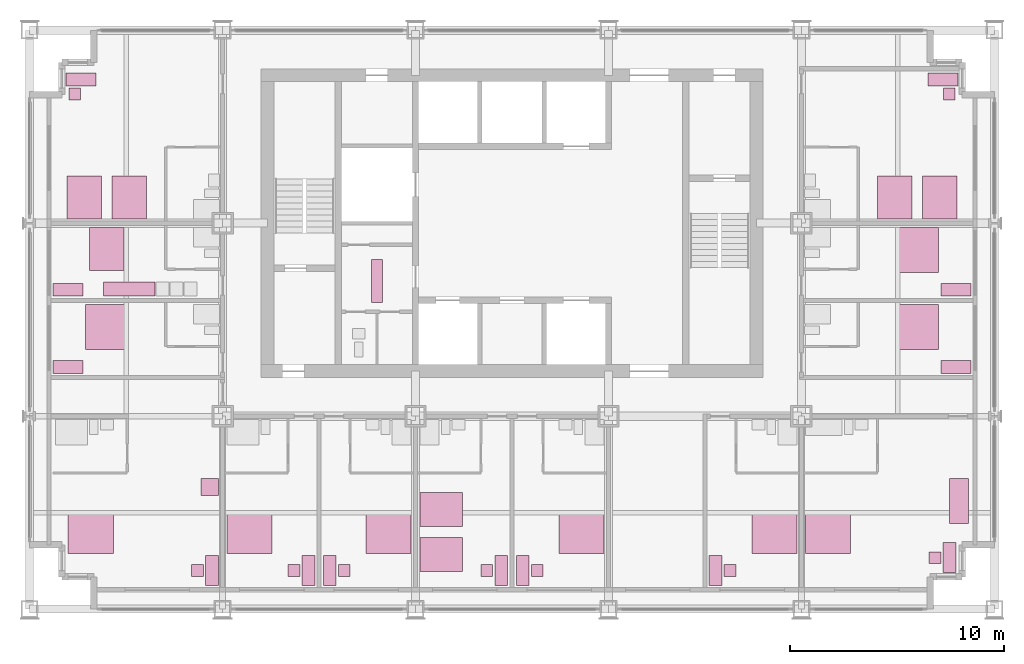
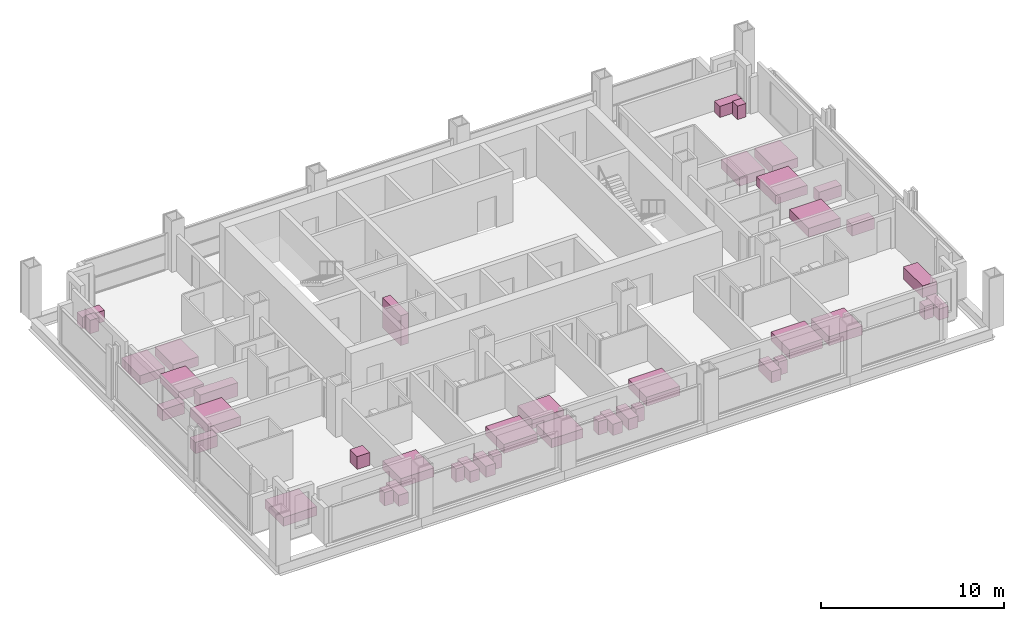
# One storey, part 13 of 13: 42 furniture elements.
"""IFC4 building model written with IfcOpenShell, lengths in metres."""

from ifc_helpers import new_model, si_unit, direction, frame, origin, origin_2d, place, context, subcontext, project, spatial, rectangle, extrude, element, save


model = new_model("IFC4")

# Units and contexts
model_context = context("Model", 3, precision=1e-05, world=origin(), true_north=direction((0.0, 1.0)))
body_context = subcontext(model_context, "Body", "Model", "MODEL_VIEW")
ifc_project = project(units=[si_unit("LENGTHUNIT", "METRE"), si_unit("AREAUNIT", "SQUARE_METRE"), si_unit("VOLUMEUNIT", "CUBIC_METRE"), si_unit("PLANEANGLEUNIT", "RADIAN"), si_unit("MASSUNIT", "GRAM", prefix="KILO")], contexts=[model_context])

# Site, building, storey
site_placement = place(None, origin())
site = spatial("IfcSite", under=ifc_project, at=site_placement, CompositionType="ELEMENT")
building_placement = place(site_placement, origin())
building = spatial("IfcBuilding", under=site, at=building_placement, Name="Loomwork Tower", CompositionType="ELEMENT")
storey_placement = place(building_placement, frame((0.0, 0.0, 163.800048828125)))
storey = spatial("IfcBuildingStorey", under=building, at=storey_placement, Name="L44", CompositionType="ELEMENT", Elevation=163.800048828125)

# Furniture
furniture_1_placement = place(storey_placement, frame((2.85009765625, 3.60009765625, 0.0), z_axis=(0.0, 0.0, 1.0), x_axis=(1.0, 0.0, 0.0)))
element("IfcFurniture", 1, at=furniture_1_placement, inside=storey, Name="King bed L44", PredefinedType="BED", context=body_context, shape_type="SweptSolid", body=[
    extrude(rectangle(XDim=2.10009765625, YDim=2.0, at=origin_2d()), origin(), (0.0, 0.0, 1.0), 0.60009765625),
])
furniture_2_placement = place(storey_placement, frame((8.5, 1.800048828125, 0.0), z_axis=(0.0, 0.0, 1.0), x_axis=(1.0, 0.0, 0.0)))
element("IfcFurniture", 2, at=furniture_2_placement, inside=storey, Name="Writing desk L44", PredefinedType="DESK", context=body_context, shape_type="SweptSolid", body=[
    extrude(rectangle(XDim=0.60009765625, YDim=1.39990234375, at=origin_2d()), origin(), (0.0, 0.0, 1.0), 0.75),
])
furniture_3_placement = place(storey_placement, frame((7.824951171875, 1.800048828125, 0.0), z_axis=(0.0, 0.0, 1.0), x_axis=(1.0, 0.0, 0.0)))
element("IfcFurniture", 3, at=furniture_3_placement, inside=storey, Name="Desk chair L44", PredefinedType="CHAIR", context=body_context, shape_type="SweptSolid", body=[
    extrude(rectangle(XDim=0.550048828125, YDim=0.550048828125, at=origin_2d()), origin(), (0.0, 0.0, 1.0), 0.89990234375),
])
furniture_4_placement = place(storey_placement, frame((8.39990234375, 5.699951171875, 0.0), z_axis=(0.0, 0.0, 1.0), x_axis=(1.0, 0.0, 0.0)))
element("IfcFurniture", 4, at=furniture_4_placement, inside=storey, Name="Lounge armchair L44", PredefinedType="CHAIR", context=body_context, shape_type="SweptSolid", body=[
    extrude(rectangle(XDim=0.800048828125, YDim=0.800048828125, at=origin_2d()), origin(), (0.0, 0.0, 1.0), 0.85009765625),
])
furniture_5_placement = place(storey_placement, frame((10.25, 3.60009765625, 0.0), z_axis=(0.0, 0.0, 1.0), x_axis=(1.0, 0.0, 0.0)))
element("IfcFurniture", 5, at=furniture_5_placement, inside=storey, Name="King bed L44", PredefinedType="BED", context=body_context, shape_type="SweptSolid", body=[
    extrude(rectangle(XDim=2.10009765625, YDim=2.0, at=origin_2d()), origin(), (0.0, 0.0, 1.0), 0.60009765625),
])
furniture_6_placement = place(storey_placement, frame((13.0, 1.800048828125, 0.0), z_axis=(0.0, 0.0, 1.0), x_axis=(1.0, 0.0, 0.0)))
element("IfcFurniture", 6, at=furniture_6_placement, inside=storey, Name="Writing desk L44", PredefinedType="DESK", context=body_context, shape_type="SweptSolid", body=[
    extrude(rectangle(XDim=0.60009765625, YDim=1.39990234375, at=origin_2d()), origin(), (0.0, 0.0, 1.0), 0.75),
])
furniture_7_placement = place(storey_placement, frame((12.324951171875, 1.800048828125, 0.0), z_axis=(0.0, 0.0, 1.0), x_axis=(1.0, 0.0, 0.0)))
element("IfcFurniture", 7, at=furniture_7_placement, inside=storey, Name="Desk chair L44", PredefinedType="CHAIR", context=body_context, shape_type="SweptSolid", body=[
    extrude(rectangle(XDim=0.550048828125, YDim=0.550048828125, at=origin_2d()), origin(), (0.0, 0.0, 1.0), 0.89990234375),
])
furniture_8_placement = place(storey_placement, frame((16.75, 3.60009765625, 0.0), z_axis=(0.0, 0.0, 1.0), x_axis=(1.0, 0.0, 0.0)))
element("IfcFurniture", 8, at=furniture_8_placement, inside=storey, Name="King bed L44", PredefinedType="BED", context=body_context, shape_type="SweptSolid", body=[
    extrude(rectangle(XDim=2.10009765625, YDim=2.0, at=origin_2d()), origin(), (0.0, 0.0, 1.0), 0.60009765625),
])
furniture_9_placement = place(storey_placement, frame((14.0, 1.800048828125, 0.0), z_axis=(0.0, 0.0, 1.0), x_axis=(1.0, 0.0, 0.0)))
element("IfcFurniture", 9, at=furniture_9_placement, inside=storey, Name="Writing desk L44", PredefinedType="DESK", context=body_context, shape_type="SweptSolid", body=[
    extrude(rectangle(XDim=0.60009765625, YDim=1.39990234375, at=origin_2d()), origin(), (0.0, 0.0, 1.0), 0.75),
])
furniture_10_placement = place(storey_placement, frame((14.675048828125, 1.800048828125, 0.0), z_axis=(0.0, 0.0, 1.0), x_axis=(1.0, 0.0, 0.0)))
element("IfcFurniture", 10, at=furniture_10_placement, inside=storey, Name="Desk chair L44", PredefinedType="CHAIR", context=body_context, shape_type="SweptSolid", body=[
    extrude(rectangle(XDim=0.550048828125, YDim=0.550048828125, at=origin_2d()), origin(), (0.0, 0.0, 1.0), 0.89990234375),
])
for number, where, z_axis, x_axis, name in (
    (11, (19.199951171875, 4.64990234375, 0.0), (0.0, 0.0, 1.0), (1.0, 0.0, 0.0), "Queen bed L44"),
    (12, (19.199951171875, 2.550048828125, 0.0), (0.0, 0.0, 1.0), (1.0, 0.0, 0.0), "Queen bed L44"),
):
    element("IfcFurniture", number, at=place(storey_placement, frame(where, z_axis=z_axis, x_axis=x_axis)), inside=storey, Name=name, PredefinedType="BED", context=body_context, shape_type="SweptSolid", body=[
        extrude(rectangle(XDim=2.0, YDim=1.60009765625, at=origin_2d()), origin(), (0.0, 0.0, 1.0), 0.60009765625),
    ])
furniture_11_placement = place(storey_placement, frame((22.0, 1.800048828125, 0.0), z_axis=(0.0, 0.0, 1.0), x_axis=(1.0, 0.0, 0.0)))
element("IfcFurniture", 13, at=furniture_11_placement, inside=storey, Name="Writing desk L44", PredefinedType="DESK", context=body_context, shape_type="SweptSolid", body=[
    extrude(rectangle(XDim=0.60009765625, YDim=1.39990234375, at=origin_2d()), origin(), (0.0, 0.0, 1.0), 0.75),
])
furniture_12_placement = place(storey_placement, frame((21.324951171875, 1.800048828125, 0.0), z_axis=(0.0, 0.0, 1.0), x_axis=(1.0, 0.0, 0.0)))
element("IfcFurniture", 14, at=furniture_12_placement, inside=storey, Name="Desk chair L44", PredefinedType="CHAIR", context=body_context, shape_type="SweptSolid", body=[
    extrude(rectangle(XDim=0.550048828125, YDim=0.550048828125, at=origin_2d()), origin(), (0.0, 0.0, 1.0), 0.89990234375),
])
furniture_13_placement = place(storey_placement, frame((25.75, 3.60009765625, 0.0), z_axis=(0.0, 0.0, 1.0), x_axis=(1.0, 0.0, 0.0)))
element("IfcFurniture", 15, at=furniture_13_placement, inside=storey, Name="King bed L44", PredefinedType="BED", context=body_context, shape_type="SweptSolid", body=[
    extrude(rectangle(XDim=2.10009765625, YDim=2.0, at=origin_2d()), origin(), (0.0, 0.0, 1.0), 0.60009765625),
])
furniture_14_placement = place(storey_placement, frame((23.0, 1.800048828125, 0.0), z_axis=(0.0, 0.0, 1.0), x_axis=(1.0, 0.0, 0.0)))
element("IfcFurniture", 16, at=furniture_14_placement, inside=storey, Name="Writing desk L44", PredefinedType="DESK", context=body_context, shape_type="SweptSolid", body=[
    extrude(rectangle(XDim=0.60009765625, YDim=1.39990234375, at=origin_2d()), origin(), (0.0, 0.0, 1.0), 0.75),
])
furniture_15_placement = place(storey_placement, frame((23.675048828125, 1.800048828125, 0.0), z_axis=(0.0, 0.0, 1.0), x_axis=(1.0, 0.0, 0.0)))
element("IfcFurniture", 17, at=furniture_15_placement, inside=storey, Name="Desk chair L44", PredefinedType="CHAIR", context=body_context, shape_type="SweptSolid", body=[
    extrude(rectangle(XDim=0.550048828125, YDim=0.550048828125, at=origin_2d()), origin(), (0.0, 0.0, 1.0), 0.89990234375),
])
furniture_16_placement = place(storey_placement, frame((34.75, 3.60009765625, 0.0), z_axis=(0.0, 0.0, 1.0), x_axis=(1.0, 0.0, 0.0)))
element("IfcFurniture", 18, at=furniture_16_placement, inside=storey, Name="King bed L44", PredefinedType="BED", context=body_context, shape_type="SweptSolid", body=[
    extrude(rectangle(XDim=2.10009765625, YDim=2.0, at=origin_2d()), origin(), (0.0, 0.0, 1.0), 0.60009765625),
])
furniture_17_placement = place(storey_placement, frame((32.0, 1.800048828125, 0.0), z_axis=(0.0, 0.0, 1.0), x_axis=(1.0, 0.0, 0.0)))
element("IfcFurniture", 19, at=furniture_17_placement, inside=storey, Name="Writing desk L44", PredefinedType="DESK", context=body_context, shape_type="SweptSolid", body=[
    extrude(rectangle(XDim=0.60009765625, YDim=1.39990234375, at=origin_2d()), origin(), (0.0, 0.0, 1.0), 0.75),
])
furniture_18_placement = place(storey_placement, frame((32.675048828125, 1.800048828125, 0.0), z_axis=(0.0, 0.0, 1.0), x_axis=(1.0, 0.0, 0.0)))
element("IfcFurniture", 20, at=furniture_18_placement, inside=storey, Name="Desk chair L44", PredefinedType="CHAIR", context=body_context, shape_type="SweptSolid", body=[
    extrude(rectangle(XDim=0.550048828125, YDim=0.550048828125, at=origin_2d()), origin(), (0.0, 0.0, 1.0), 0.89990234375),
])
furniture_19_placement = place(storey_placement, frame((37.25, 3.60009765625, 0.0), z_axis=(0.0, 0.0, 1.0), x_axis=(1.0, 0.0, 0.0)))
element("IfcFurniture", 21, at=furniture_19_placement, inside=storey, Name="King bed L44", PredefinedType="BED", context=body_context, shape_type="SweptSolid", body=[
    extrude(rectangle(XDim=2.10009765625, YDim=2.0, at=origin_2d()), origin(), (0.0, 0.0, 1.0), 0.60009765625),
])
furniture_20_placement = place(storey_placement, frame((42.89990234375, 2.39990234375, 0.0), z_axis=(0.0, 0.0, 1.0), x_axis=(1.0, 0.0, 0.0)))
element("IfcFurniture", 22, at=furniture_20_placement, inside=storey, Name="Writing desk L44", PredefinedType="DESK", context=body_context, shape_type="SweptSolid", body=[
    extrude(rectangle(XDim=0.60009765625, YDim=1.39990234375, at=origin_2d()), origin(), (0.0, 0.0, 1.0), 0.75),
])
furniture_21_placement = place(storey_placement, frame((42.22509765625, 2.39990234375, 0.0), z_axis=(0.0, 0.0, 1.0), x_axis=(1.0, 0.0, 0.0)))
element("IfcFurniture", 23, at=furniture_21_placement, inside=storey, Name="Desk chair L44", PredefinedType="CHAIR", context=body_context, shape_type="SweptSolid", body=[
    extrude(rectangle(XDim=0.550048828125, YDim=0.550048828125, at=origin_2d()), origin(), (0.0, 0.0, 1.0), 0.89990234375),
])
furniture_22_placement = place(storey_placement, frame((43.35009765625, 5.050048828125, 0.0), z_axis=(0.0, 0.0, 1.0), x_axis=(1.0, 0.0, 0.0)))
element("IfcFurniture", 24, at=furniture_22_placement, inside=storey, Name="Sofa L44", PredefinedType="SOFA", context=body_context, shape_type="SweptSolid", body=[
    extrude(rectangle(XDim=0.89990234375, YDim=2.10009765625, at=origin_2d()), origin(), (0.0, 0.0, 1.0), 0.800048828125),
])
furniture_23_placement = place(storey_placement, frame((3.60009765625, 13.14990234375, 0.0), z_axis=(0.0, 0.0, 1.0), x_axis=(1.0, 0.0, 0.0)))
element("IfcFurniture", 25, at=furniture_23_placement, inside=storey, Name="King bed L44", PredefinedType="BED", context=body_context, shape_type="SweptSolid", body=[
    extrude(rectangle(XDim=2.0, YDim=2.10009765625, at=origin_2d()), origin(), (0.0, 0.0, 1.0), 0.60009765625),
])
furniture_24_placement = place(storey_placement, frame((1.800048828125, 11.300048828125, 0.0), z_axis=(0.0, 0.0, 1.0), x_axis=(1.0, 0.0, 0.0)))
element("IfcFurniture", 26, at=furniture_24_placement, inside=storey, Name="Writing desk L44", PredefinedType="DESK", context=body_context, shape_type="SweptSolid", body=[
    extrude(rectangle(XDim=1.39990234375, YDim=0.60009765625, at=origin_2d()), origin(), (0.0, 0.0, 1.0), 0.75),
])
furniture_25_placement = place(storey_placement, frame((3.60009765625, 16.800048828125, 0.0), z_axis=(0.0, 0.0, 1.0), x_axis=(1.0, 0.0, 0.0)))
element("IfcFurniture", 27, at=furniture_25_placement, inside=storey, Name="Queen bed L44", PredefinedType="BED", context=body_context, shape_type="SweptSolid", body=[
    extrude(rectangle(XDim=1.60009765625, YDim=2.0, at=origin_2d()), origin(), (0.0, 0.0, 1.0), 0.60009765625),
])
furniture_26_placement = place(storey_placement, frame((1.800048828125, 14.89990234375, 0.0), z_axis=(0.0, 0.0, 1.0), x_axis=(1.0, 0.0, 0.0)))
element("IfcFurniture", 28, at=furniture_26_placement, inside=storey, Name="Writing desk L44", PredefinedType="DESK", context=body_context, shape_type="SweptSolid", body=[
    extrude(rectangle(XDim=1.39990234375, YDim=0.60009765625, at=origin_2d()), origin(), (0.0, 0.0, 1.0), 0.75),
])
furniture_27_placement = place(storey_placement, frame((4.64990234375, 14.925048828125, 0.0), z_axis=(0.0, 0.0, 1.0), x_axis=(1.0, 0.0, 0.0)))
element("IfcFurniture", 29, at=furniture_27_placement, inside=storey, Name="Kitchenette counter L44", ObjectType="KITCHENETTE", PredefinedType="USERDEFINED", context=body_context, shape_type="SweptSolid", body=[
    extrude(rectangle(XDim=2.39990234375, YDim=0.64990234375, at=origin_2d()), origin(), (0.0, 0.0, 1.0), 0.89990234375),
])
for number, where, z_axis, x_axis, name in (
    (30, (4.64990234375, 19.199951171875, 0.0), (0.0, 0.0, 1.0), (1.0, 0.0, 0.0), "Queen bed L44"),
    (31, (2.550048828125, 19.199951171875, 0.0), (0.0, 0.0, 1.0), (1.0, 0.0, 0.0), "Queen bed L44"),
):
    element("IfcFurniture", number, at=place(storey_placement, frame(where, z_axis=z_axis, x_axis=x_axis)), inside=storey, Name=name, PredefinedType="BED", context=body_context, shape_type="SweptSolid", body=[
        extrude(rectangle(XDim=1.60009765625, YDim=2.0, at=origin_2d()), origin(), (0.0, 0.0, 1.0), 0.60009765625),
    ])
furniture_28_placement = place(storey_placement, frame((2.39990234375, 24.699951171875, 0.0), z_axis=(0.0, 0.0, 1.0), x_axis=(1.0, 0.0, 0.0)))
element("IfcFurniture", 32, at=furniture_28_placement, inside=storey, Name="Writing desk L44", PredefinedType="DESK", context=body_context, shape_type="SweptSolid", body=[
    extrude(rectangle(XDim=1.39990234375, YDim=0.60009765625, at=origin_2d()), origin(), (0.0, 0.0, 1.0), 0.75),
])
furniture_29_placement = place(storey_placement, frame((2.10009765625, 24.02490234375, 0.0), z_axis=(0.0, 0.0, 1.0), x_axis=(1.0, 0.0, 0.0)))
element("IfcFurniture", 33, at=furniture_29_placement, inside=storey, Name="Desk chair L44", PredefinedType="CHAIR", context=body_context, shape_type="SweptSolid", body=[
    extrude(rectangle(XDim=0.550048828125, YDim=0.550048828125, at=origin_2d()), origin(), (0.0, 0.0, 1.0), 0.89990234375),
])
furniture_30_placement = place(storey_placement, frame((41.39990234375, 13.14990234375, 0.0), z_axis=(0.0, 0.0, 1.0), x_axis=(1.0, 0.0, 0.0)))
element("IfcFurniture", 34, at=furniture_30_placement, inside=storey, Name="King bed L44", PredefinedType="BED", context=body_context, shape_type="SweptSolid", body=[
    extrude(rectangle(XDim=2.0, YDim=2.10009765625, at=origin_2d()), origin(), (0.0, 0.0, 1.0), 0.60009765625),
])
furniture_31_placement = place(storey_placement, frame((43.199951171875, 11.300048828125, 0.0), z_axis=(0.0, 0.0, 1.0), x_axis=(1.0, 0.0, 0.0)))
element("IfcFurniture", 35, at=furniture_31_placement, inside=storey, Name="Writing desk L44", PredefinedType="DESK", context=body_context, shape_type="SweptSolid", body=[
    extrude(rectangle(XDim=1.39990234375, YDim=0.60009765625, at=origin_2d()), origin(), (0.0, 0.0, 1.0), 0.75),
])
furniture_32_placement = place(storey_placement, frame((41.39990234375, 16.75, 0.0), z_axis=(0.0, 0.0, 1.0), x_axis=(1.0, 0.0, 0.0)))
element("IfcFurniture", 36, at=furniture_32_placement, inside=storey, Name="King bed L44", PredefinedType="BED", context=body_context, shape_type="SweptSolid", body=[
    extrude(rectangle(XDim=2.0, YDim=2.10009765625, at=origin_2d()), origin(), (0.0, 0.0, 1.0), 0.60009765625),
])
furniture_33_placement = place(storey_placement, frame((43.199951171875, 14.89990234375, 0.0), z_axis=(0.0, 0.0, 1.0), x_axis=(1.0, 0.0, 0.0)))
element("IfcFurniture", 37, at=furniture_33_placement, inside=storey, Name="Writing desk L44", PredefinedType="DESK", context=body_context, shape_type="SweptSolid", body=[
    extrude(rectangle(XDim=1.39990234375, YDim=0.60009765625, at=origin_2d()), origin(), (0.0, 0.0, 1.0), 0.75),
])
for number, where, z_axis, x_axis, name in (
    (38, (40.35009765625, 19.199951171875, 0.0), (0.0, 0.0, 1.0), (1.0, 0.0, 0.0), "Queen bed L44"),
    (39, (42.449951171875, 19.199951171875, 0.0), (0.0, 0.0, 1.0), (1.0, 0.0, 0.0), "Queen bed L44"),
):
    element("IfcFurniture", number, at=place(storey_placement, frame(where, z_axis=z_axis, x_axis=x_axis)), inside=storey, Name=name, PredefinedType="BED", context=body_context, shape_type="SweptSolid", body=[
        extrude(rectangle(XDim=1.60009765625, YDim=2.0, at=origin_2d()), origin(), (0.0, 0.0, 1.0), 0.60009765625),
    ])
furniture_34_placement = place(storey_placement, frame((42.60009765625, 24.699951171875, 0.0), z_axis=(0.0, 0.0, 1.0), x_axis=(1.0, 0.0, 0.0)))
element("IfcFurniture", 40, at=furniture_34_placement, inside=storey, Name="Writing desk L44", PredefinedType="DESK", context=body_context, shape_type="SweptSolid", body=[
    extrude(rectangle(XDim=1.39990234375, YDim=0.60009765625, at=origin_2d()), origin(), (0.0, 0.0, 1.0), 0.75),
])
furniture_35_placement = place(storey_placement, frame((42.89990234375, 24.02490234375, 0.0), z_axis=(0.0, 0.0, 1.0), x_axis=(1.0, 0.0, 0.0)))
element("IfcFurniture", 41, at=furniture_35_placement, inside=storey, Name="Desk chair L44", PredefinedType="CHAIR", context=body_context, shape_type="SweptSolid", body=[
    extrude(rectangle(XDim=0.550048828125, YDim=0.550048828125, at=origin_2d()), origin(), (0.0, 0.0, 1.0), 0.89990234375),
])
furniture_36_placement = place(storey_placement, frame((16.199951171875, 15.300048828125, 0.0), z_axis=(0.0, 0.0, 1.0), x_axis=(1.0, 0.0, 0.0)))
element("IfcFurniture", 42, at=furniture_36_placement, inside=storey, Name="Linen shelving L44", PredefinedType="SHELF", context=body_context, shape_type="SweptSolid", body=[
    extrude(rectangle(XDim=0.5, YDim=2.0, at=origin_2d()), origin(), (0.0, 0.0, 1.0), 2.0),
])

save(model, "model.ifc")
